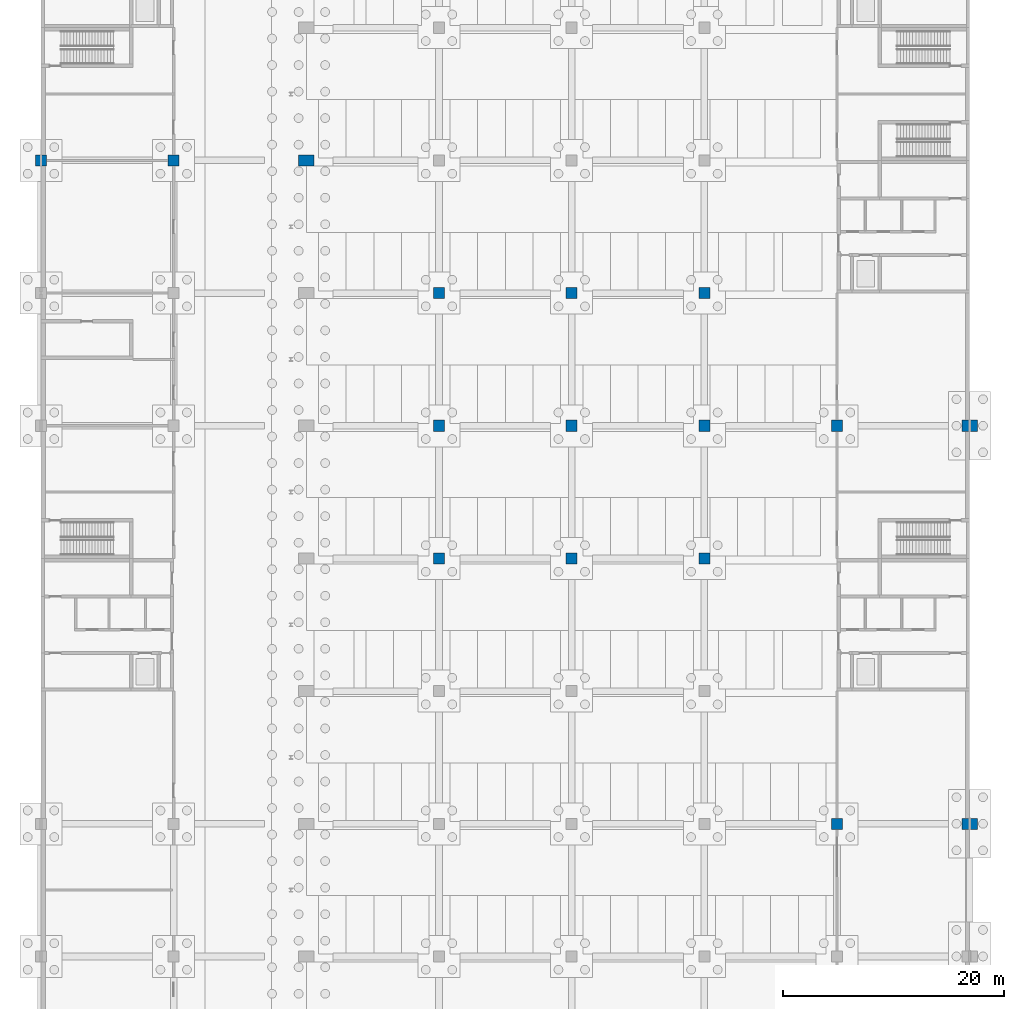
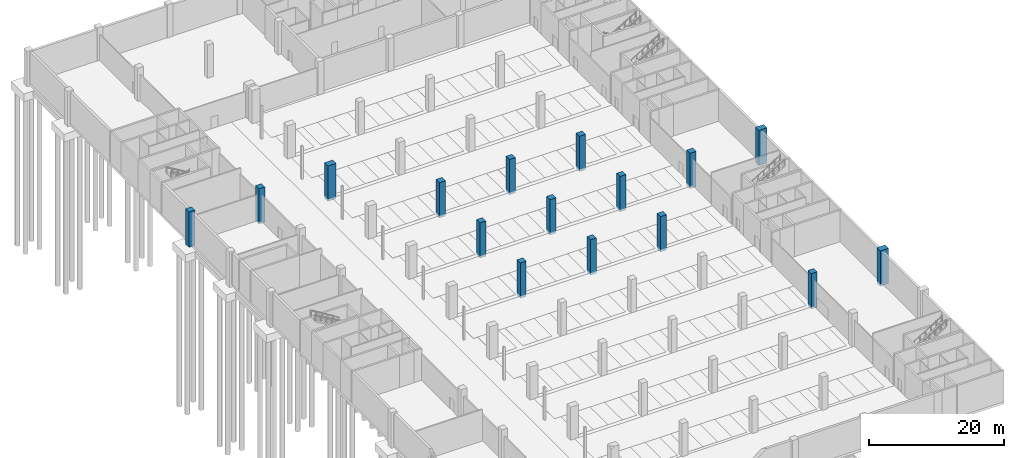
# One storey, part 12 of 34: 16 columns.
"""IFC4 building model written with IfcOpenShell, lengths in metres."""

from ifc_helpers import new_model, si_unit, direction, frame, origin, origin_2d, place, context, subcontext, project, spatial, rectangle, extrude, material, material_profile, profile_set, type_object, element, save


model = new_model("IFC4")

# Units and contexts
model_context = context("Model", 3, precision=1e-05, world=origin(), true_north=direction((0.0, 1.0)))
body_context = subcontext(model_context, "Body", "Model", "MODEL_VIEW")
ifc_project = project(units=[si_unit("LENGTHUNIT", "METRE"), si_unit("AREAUNIT", "SQUARE_METRE"), si_unit("VOLUMEUNIT", "CUBIC_METRE"), si_unit("PLANEANGLEUNIT", "RADIAN"), si_unit("MASSUNIT", "GRAM", prefix="KILO")], contexts=[model_context])

# Site, building, storey
site_placement = place(None, origin())
site = spatial("IfcSite", under=ifc_project, at=site_placement, CompositionType="ELEMENT")
building_placement = place(site_placement, origin())
building = spatial("IfcBuilding", under=site, at=building_placement, Name="Lilac Gate Convention Centre", CompositionType="ELEMENT")
storey_placement = place(building_placement, frame((0.0, 0.0, -6.0)))
storey = spatial("IfcBuildingStorey", under=building, at=storey_placement, Name="B1", CompositionType="ELEMENT", Elevation=-6.0)

# Columns
ifc_material = material(Name="Concrete C40", Category="concrete")
ifc_material_profile_1 = material_profile(ifc_material, rectangle(XDim=1.0, YDim=1.0, at=origin_2d()), Name="RC 1000x1000")
ifc_profile_set_1 = profile_set([ifc_material_profile_1], Name="Concrete C40")
column_type_1 = type_object("IfcColumnType", Name="RC column 1000x1000 C40", PredefinedType="COLUMN", material=ifc_profile_set_1)
for number, where, z_axis, x_axis, name in (
    (1, (6.0, 198.0, -0.39990234375), (0.0, 0.0, 1.0), (1.0, 0.0, 0.0), "C1 B1 at 1/Q"),
    (2, (18.0, 198.0, -0.39990234375), (0.0, 0.0, 1.0), (1.0, 0.0, 0.0), "C1 B1 at 2/Q"),
    (3, (42.0, 162.0, -0.39990234375), (0.0, 0.0, 1.0), (1.0, 0.0, 0.0), "C1 B1 at 4/M"),
    (4, (42.0, 174.0, -0.39990234375), (0.0, 0.0, 1.0), (1.0, 0.0, 0.0), "C1 B1 at 4/N"),
    (5, (42.0, 186.0, -0.39990234375), (0.0, 0.0, 1.0), (1.0, 0.0, 0.0), "C1 B1 at 4/P"),
    (6, (54.0, 162.0, -0.39990234375), (0.0, 0.0, 1.0), (1.0, 0.0, 0.0), "C1 B1 at 5/M"),
    (7, (54.0, 174.0, -0.39990234375), (0.0, 0.0, 1.0), (1.0, 0.0, 0.0), "C1 B1 at 5/N"),
    (8, (54.0, 186.0, -0.39990234375), (0.0, 0.0, 1.0), (1.0, 0.0, 0.0), "C1 B1 at 5/P"),
    (9, (66.0, 162.0, -0.39990234375), (0.0, 0.0, 1.0), (1.0, 0.0, 0.0), "C1 B1 at 6/M"),
    (10, (66.0, 174.0, -0.39990234375), (0.0, 0.0, 1.0), (1.0, 0.0, 0.0), "C1 B1 at 6/N"),
    (11, (66.0, 186.0, -0.39990234375), (0.0, 0.0, 1.0), (1.0, 0.0, 0.0), "C1 B1 at 6/P"),
    (12, (78.0, 138.0, -0.39990234375), (0.0, 0.0, 1.0), (1.0, 0.0, 0.0), "C1 B1 at 7/K"),
    (13, (78.0, 174.0, -0.39990234375), (0.0, 0.0, 1.0), (1.0, 0.0, 0.0), "C1 B1 at 7/N"),
):
    element("IfcColumn", number, at=place(storey_placement, frame(where, z_axis=z_axis, x_axis=x_axis)), inside=storey, type_object=column_type_1, Name=name, PredefinedType="COLUMN", context=body_context, shape_type="SweptSolid", body=[
        extrude(rectangle(XDim=1.0, YDim=1.0, at=origin_2d()), origin(), (0.0, 0.0, 1.0), 6.39990234375),
    ])
ifc_material_profile_2 = material_profile(ifc_material, rectangle(XDim=1.39990234375, YDim=1.0, at=origin_2d()), Name="RC 1400x1000")
ifc_profile_set_2 = profile_set([ifc_material_profile_2], Name="Concrete C40")
column_type_2 = type_object("IfcColumnType", Name="RC hall column 1400x1000 C40", PredefinedType="COLUMN", material=ifc_profile_set_2)
for number, where, z_axis, x_axis, name in (
    (14, (30.0, 198.0, -0.39990234375), (0.0, 0.0, 1.0), (1.0, 0.0, 0.0), "C2 B1 at 3/Q"),
    (15, (90.0, 138.0, -0.39990234375), (0.0, 0.0, 1.0), (1.0, 0.0, 0.0), "C2 B1 at 8/K"),
    (16, (90.0, 174.0, -0.39990234375), (0.0, 0.0, 1.0), (1.0, 0.0, 0.0), "C2 B1 at 8/N"),
):
    element("IfcColumn", number, at=place(storey_placement, frame(where, z_axis=z_axis, x_axis=x_axis)), inside=storey, type_object=column_type_2, Name=name, PredefinedType="COLUMN", context=body_context, shape_type="SweptSolid", body=[
        extrude(rectangle(XDim=1.39990234375, YDim=1.0, at=origin_2d()), origin(), (0.0, 0.0, 1.0), 6.39990234375),
    ])

save(model, "model.ifc")
